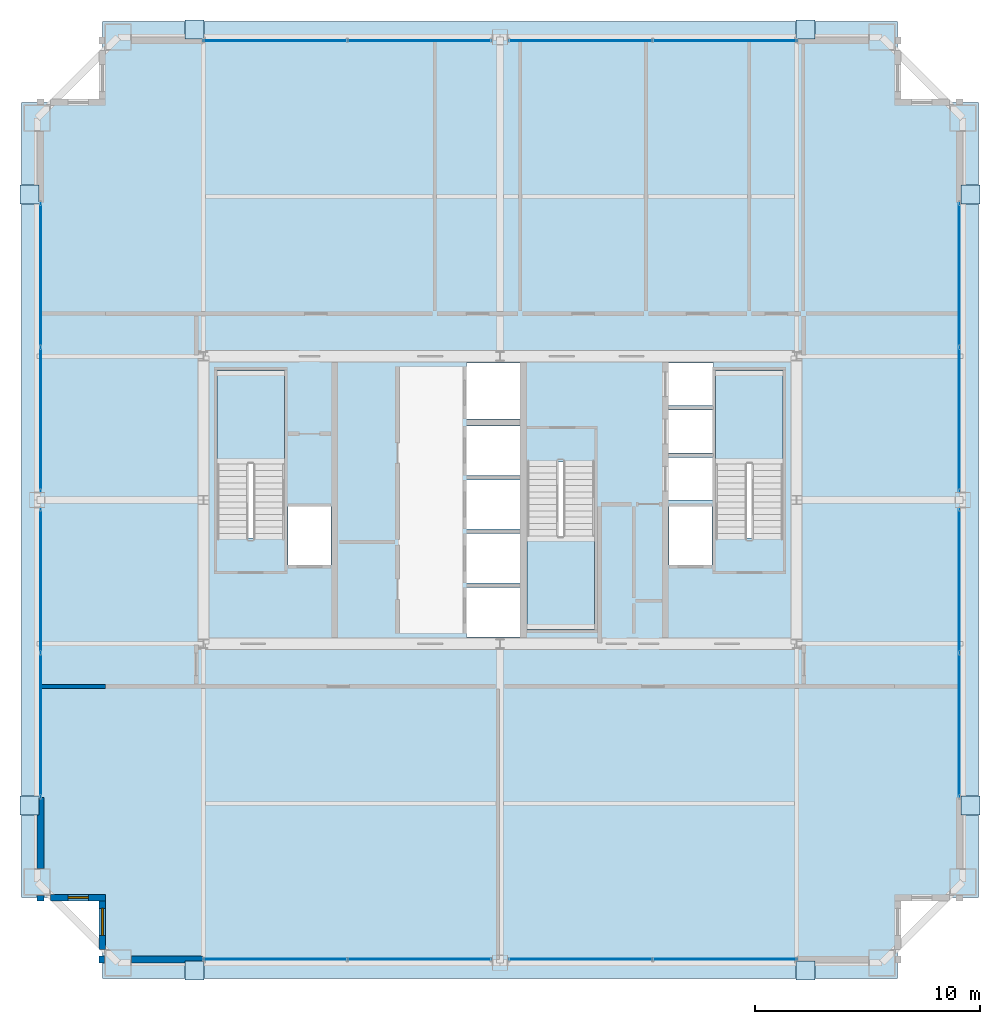
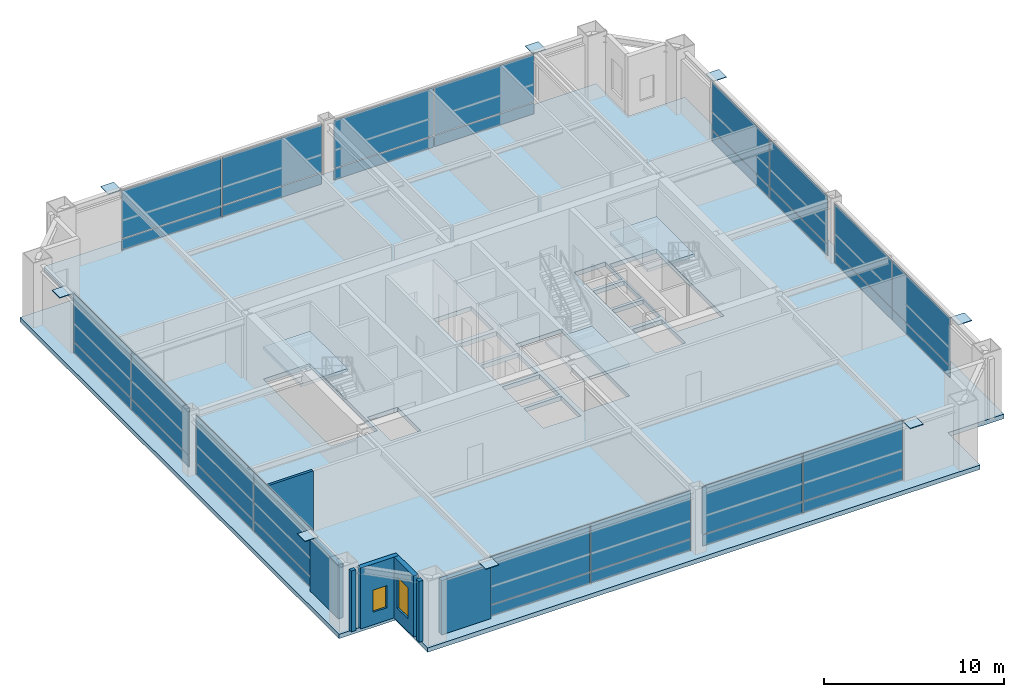
# One storey, part 22 of 26: 40 plates, 7 walls, 4 slabs, 2 windows, 2 openings, 11 elements without a shape of their own.
"""IFC4 building model written with IfcOpenShell, lengths in metres."""

from ifc_helpers import new_model, si_unit, direction, frame, frame_2d, origin, origin_2d, place, context, subcontext, project, spatial, polyline, rectangle, outline, extrude, source, transform, mapped, material, layer, layer_set, type_object, element, fill, aggregate, save


model = new_model("IFC4")

# Units and contexts
model_context = context("Model", 3, precision=1e-05, world=origin(), true_north=direction((0.0, 1.0)))
body_context = subcontext(model_context, "Body", "Model", "MODEL_VIEW")
ifc_project = project(units=[si_unit("LENGTHUNIT", "METRE"), si_unit("AREAUNIT", "SQUARE_METRE"), si_unit("VOLUMEUNIT", "CUBIC_METRE"), si_unit("PLANEANGLEUNIT", "RADIAN"), si_unit("MASSUNIT", "GRAM", prefix="KILO"), si_unit("THERMODYNAMICTEMPERATUREUNIT", "KELVIN"), si_unit("POWERUNIT", "WATT")], contexts=[model_context])

# Site, building, storey
site_placement = place(None, origin())
site = spatial("IfcSite", under=ifc_project, at=site_placement, CompositionType="ELEMENT")
building_placement = place(site_placement, origin())
building = spatial("IfcBuilding", under=site, at=building_placement, Name="Yuzanri Waterfront Tower", CompositionType="ELEMENT")
storey_placement = place(building_placement, frame((0.0, 0.0, 259.10009765625)))
storey = spatial("IfcBuildingStorey", under=building, at=storey_placement, Name="L69", CompositionType="ELEMENT", Elevation=259.10009765625)

# Stair, slab
ifc_material_1 = material(Name="Concrete C40", Category="concrete")
stair_type = type_object("IfcStairType", Name="Concrete C40 Core Dogleg Exit Stair", PredefinedType="HALF_TURN_STAIR", material=ifc_material_1)
stair_1_placement = place(storey_placement, origin())
stair_1 = element("IfcStair", 1, at=stair_1_placement, inside=storey, type_object=stair_type, Name="L69 Smoke-Proof Core Stair ST-01", PredefinedType="HALF_TURN_STAIR")
ifc_material_2 = material(Name="Concrete C40", Category="concrete")
ifc_layer_1 = layer(ifc_material_2, 0.179931640625)
ifc_layer_set_1 = layer_set([ifc_layer_1], Name="Concrete C40")
slab_type_1 = type_object("IfcSlabType", Name="Concrete C40 Stair Half-Landing Slab 180", PredefinedType="LANDING", material=ifc_layer_set_1)
slab_1_placement = place(storey_placement, frame((0.0, 0.0, 2.0)))
slab_1 = element("IfcSlab", 2, at=slab_1_placement, type_object=slab_type_1, Name="ST-01 landing 1", PredefinedType="LANDING", context=body_context, shape_type="SweptSolid", body=[
    extrude(outline(polyline([(27.39990234375, 27.39990234375), (27.39990234375, 31.580078125), (24.39990234375, 31.580078125), (24.39990234375, 27.39990234375), (27.39990234375, 27.39990234375)])), origin(), (0.0, 0.0, 1.0), 0.199951171875),
])
aggregate(stair_1, [slab_1])

stair_2_placement = place(storey_placement, origin())
stair_2 = element("IfcStair", 3, at=stair_2_placement, inside=storey, type_object=stair_type, Name="L69 Smoke-Proof Core Stair ST-02", PredefinedType="HALF_TURN_STAIR")
slab_2_placement = place(storey_placement, frame((0.0, 0.0, 2.0)))
slab_2 = element("IfcSlab", 4, at=slab_2_placement, type_object=slab_type_1, Name="ST-02 landing 1", PredefinedType="LANDING", context=body_context, shape_type="SweptSolid", body=[
    extrude(outline(polyline([(49.60009765625, 27.39990234375), (49.60009765625, 31.580078125), (46.60009765625, 31.580078125), (46.60009765625, 27.39990234375), (49.60009765625, 27.39990234375)])), origin(), (0.0, 0.0, 1.0), 0.199951171875),
])
aggregate(stair_2, [slab_2])

stair_3_placement = place(storey_placement, origin())
stair_3 = element("IfcStair", 5, at=stair_3_placement, inside=storey, type_object=stair_type, Name="L69 Smoke-Proof Core Stair ST-03", PredefinedType="HALF_TURN_STAIR")
slab_3_placement = place(storey_placement, frame((0.0, 0.0, 2.0)))
slab_3 = element("IfcSlab", 6, at=slab_3_placement, type_object=slab_type_1, Name="ST-03 landing 1", PredefinedType="LANDING", context=body_context, shape_type="SweptSolid", body=[
    extrude(outline(polyline([(38.199951171875, 24.199951171875), (38.199951171875, 20.02001953125), (41.199951171875, 20.02001953125), (41.199951171875, 24.199951171875), (38.199951171875, 24.199951171875)])), origin(), (0.0, 0.0, 1.0), 0.199951171875),
])
aggregate(stair_3, [slab_3])

# Slab
ifc_material_3 = material(Name="Concrete C45", Category="concrete")
ifc_layer_2 = layer(ifc_material_3, 0.300048828125)
ifc_layer_set_2 = layer_set([ifc_layer_2], Name="Concrete C45")
slab_type_2 = type_object("IfcSlabType", Name="Concrete C45 Transfer and Sky-Lobby Structural Floor Slab 300", PredefinedType="FLOOR", material=ifc_layer_set_2)
slab_4_placement = place(storey_placement, frame((0.0, 0.0, -0.300048828125)))
element("IfcSlab", 7, at=slab_4_placement, inside=storey, type_object=slab_type_2, Name="L69 Main Structural Floor Slab", PredefinedType="FLOOR", context=body_context, shape_type="SweptSolid", body=[
    extrude(outline(polyline([(19.300048828125, 4.5), (54.699951171875, 4.5), (54.699951171875, 8.10009765625), (58.300048828125, 8.10009765625), (58.300048828125, 43.5), (54.699951171875, 43.5), (54.699951171875, 47.10009765625), (19.300048828125, 47.10009765625), (19.300048828125, 43.5), (15.699951171875, 43.5), (15.699951171875, 8.10009765625), (19.300048828125, 8.10009765625), (19.300048828125, 4.5)]), holes=[polyline([(27.39990234375, 24.10009765625), (27.39990234375, 31.580078125), (24.39990234375, 31.580078125), (24.39990234375, 24.10009765625), (27.39990234375, 24.10009765625)]), polyline([(49.60009765625, 24.10009765625), (49.60009765625, 31.580078125), (46.60009765625, 31.580078125), (46.60009765625, 24.10009765625), (49.60009765625, 24.10009765625)]), polyline([(38.199951171875, 27.5), (38.199951171875, 20.02001953125), (41.199951171875, 20.02001953125), (41.199951171875, 27.5), (38.199951171875, 27.5)]), polyline([(27.56005859375, 22.89990234375), (29.47998046875, 22.89990234375), (29.47998046875, 25.5), (27.56005859375, 25.5), (27.56005859375, 22.89990234375)]), polyline([(44.52001953125, 22.89990234375), (46.43994140625, 22.89990234375), (46.43994140625, 25.5), (44.52001953125, 25.5), (44.52001953125, 22.89990234375)]), polyline([(35.5, 19.699951171875), (37.89990234375, 19.699951171875), (37.89990234375, 21.89990234375), (35.5, 21.89990234375), (35.5, 19.699951171875)]), polyline([(35.5, 22.10009765625), (37.89990234375, 22.10009765625), (37.89990234375, 24.300048828125), (35.5, 24.300048828125), (35.5, 22.10009765625)]), polyline([(35.5, 24.5), (37.89990234375, 24.5), (37.89990234375, 26.699951171875), (35.5, 26.699951171875), (35.5, 24.5)]), polyline([(35.5, 26.89990234375), (37.89990234375, 26.89990234375), (37.89990234375, 29.10009765625), (35.5, 29.10009765625), (35.5, 26.89990234375)]), polyline([(35.5, 29.39990234375), (37.89990234375, 29.39990234375), (37.89990234375, 31.89990234375), (35.5, 31.89990234375), (35.5, 29.39990234375)]), polyline([(44.5, 25.800048828125), (46.5, 25.800048828125), (46.5, 27.699951171875), (44.5, 27.699951171875), (44.5, 25.800048828125)]), polyline([(44.5, 27.89990234375), (46.5, 27.89990234375), (46.5, 29.800048828125), (44.5, 29.800048828125), (44.5, 27.89990234375)]), polyline([(44.5, 30.0), (46.5, 30.0), (46.5, 31.89990234375), (44.5, 31.89990234375), (44.5, 30.0)])]), origin(), (0.0, 0.0, 1.0), 0.300048828125),
])

# Plates
ifc_material_4 = material(Name="Steel Q420GJC", Category="steel")
ifc_layer_3 = layer(ifc_material_4, 0.0400390625)
ifc_layer_set_3 = layer_set([ifc_layer_3], Name="Steel Q420GJC")
plate_type_1 = type_object("IfcPlateType", Name="Steel Q420GJC Mega-Brace Gusset and End-Cap Plate 40", PredefinedType="SHEET", material=ifc_layer_set_3)
shared_shape_1 = source(origin(), body_context, "Body", "SweptSolid", [
    extrude(rectangle(XDim=0.85009765625, YDim=0.85009765625, at=origin_2d()), origin(), (0.0, 0.0, 1.0), 0.0400390625),
])
for number, where, z_axis, x_axis, name in (
    (8, (23.39990234375, 4.860107421875, 4.059814453125), (0.0, 0.0, 1.0), (1.0, 0.0, 0.0), "L69 Mega-Brace Apex Cap Plate S-L"),
    (9, (50.60009765625, 4.860107421875, 4.059814453125), (0.0, 0.0, 1.0), (1.0, 0.0, 0.0), "L69 Mega-Brace Apex Cap Plate S-R"),
    (10, (23.39990234375, 46.739990234375, 4.059814453125), (0.0, 0.0, 1.0), (1.0, 0.0, 0.0), "L69 Mega-Brace Apex Cap Plate N-L"),
    (11, (50.60009765625, 46.739990234375, 4.059814453125), (0.0, 0.0, 1.0), (1.0, 0.0, 0.0), "L69 Mega-Brace Apex Cap Plate N-R"),
    (12, (16.06005859375, 12.199951171875, 4.059814453125), (0.0, 0.0, 1.0), (1.0, 0.0, 0.0), "L69 Mega-Brace Apex Cap Plate W-L"),
    (13, (16.06005859375, 39.39990234375, 4.059814453125), (0.0, 0.0, 1.0), (1.0, 0.0, 0.0), "L69 Mega-Brace Apex Cap Plate W-R"),
    (14, (57.93994140625, 12.199951171875, 4.059814453125), (0.0, 0.0, 1.0), (1.0, 0.0, 0.0), "L69 Mega-Brace Apex Cap Plate E-L"),
    (15, (57.93994140625, 39.39990234375, 4.059814453125), (0.0, 0.0, 1.0), (1.0, 0.0, 0.0), "L69 Mega-Brace Apex Cap Plate E-R"),
):
    element("IfcPlate", number, at=place(storey_placement, frame(where, z_axis=z_axis, x_axis=x_axis)), inside=storey, type_object=plate_type_1, Name=name, PredefinedType="SHEET", context=body_context, shape_type="MappedRepresentation", body=[
        mapped(shared_shape_1, transform((0.0, 0.0, 0.0), scale=1.0)),
    ])

# Curtain wall, plates
ifc_material_5 = material(Name="Anodized Architectural Bronze", Category="metal")
ifc_layer_4 = layer(ifc_material_5, 0.159912109375)
ifc_layer_set_4 = layer_set([ifc_layer_4], Name="Anodized Architectural Bronze")
curtain_wall_type = type_object("IfcCurtainWallType", Name="Anodized Bronze Sky-Lobby Triple-Glazed Feature Curtain Wall 7500", PredefinedType="NOTDEFINED", material=ifc_layer_set_4)
curtain_wall_1_placement = place(storey_placement, origin())
curtain_wall_1 = element("IfcCurtainWall", 16, at=curtain_wall_1_placement, inside=storey, type_object=curtain_wall_type, Name="L69 Curtain Wall CW-L69-SL", PredefinedType="NOTDEFINED")
ifc_material_6 = material(Name="Anodized Architectural Bronze", Category="metal")
ifc_layer_5 = layer(ifc_material_6, 0.028076171875)
ifc_layer_set_5 = layer_set([ifc_layer_5], Name="Anodized Architectural Bronze")
plate_type_2 = type_object("IfcPlateType", Name="Bronze Insulated Spandrel Shadow-Box Panel 28", PredefinedType="CURTAIN_PANEL", material=ifc_layer_set_5)
shared_shape_2 = source(origin(), body_context, "Body", "SweptSolid", [
    extrude(rectangle(XDim=6.3701171875, YDim=0.028076171875, at=origin_2d()), origin(), (0.0, 0.0, 1.0), 0.739990234375),
])
plate_1_placement = place(storey_placement, frame((26.97509765625, 5.35009765625, 0.0498046875), z_axis=(0.0, 0.0, 1.0), x_axis=(1.0, 0.0, 0.0)))
plate_1 = element("IfcPlate", 17, at=plate_1_placement, type_object=plate_type_2, Name="CW-L69-SL Spandrel Panel 01", PredefinedType="CURTAIN_PANEL", context=body_context, shape_type="MappedRepresentation", body=[
    mapped(shared_shape_2, transform((0.0, 0.0, 0.0), scale=1.0)),
])
plate_2_placement = place(storey_placement, frame((33.425048828125, 5.35009765625, 0.0498046875), z_axis=(0.0, 0.0, 1.0), x_axis=(1.0, 0.0, 0.0)))
plate_2 = element("IfcPlate", 18, at=plate_2_placement, type_object=plate_type_2, Name="CW-L69-SL Spandrel Panel 02", PredefinedType="CURTAIN_PANEL", context=body_context, shape_type="MappedRepresentation", body=[
    mapped(shared_shape_2, transform((0.0, 0.0, 0.0), scale=1.0)),
])

curtain_wall_2_placement = place(storey_placement, origin())
curtain_wall_2 = element("IfcCurtainWall", 19, at=curtain_wall_2_placement, inside=storey, type_object=curtain_wall_type, Name="L69 Curtain Wall CW-L69-SR", PredefinedType="NOTDEFINED")
plate_3_placement = place(storey_placement, frame((40.574951171875, 5.35009765625, 0.0498046875), z_axis=(0.0, 0.0, 1.0), x_axis=(1.0, 0.0, 0.0)))
plate_3 = element("IfcPlate", 20, at=plate_3_placement, type_object=plate_type_2, Name="CW-L69-SR Spandrel Panel 01", PredefinedType="CURTAIN_PANEL", context=body_context, shape_type="MappedRepresentation", body=[
    mapped(shared_shape_2, transform((0.0, 0.0, 0.0), scale=1.0)),
])
plate_4_placement = place(storey_placement, frame((47.02490234375, 5.35009765625, 0.0498046875), z_axis=(0.0, 0.0, 1.0), x_axis=(1.0, 0.0, 0.0)))
plate_4 = element("IfcPlate", 21, at=plate_4_placement, type_object=plate_type_2, Name="CW-L69-SR Spandrel Panel 02", PredefinedType="CURTAIN_PANEL", context=body_context, shape_type="MappedRepresentation", body=[
    mapped(shared_shape_2, transform((0.0, 0.0, 0.0), scale=1.0)),
])

curtain_wall_3_placement = place(storey_placement, origin())
curtain_wall_3 = element("IfcCurtainWall", 22, at=curtain_wall_3_placement, inside=storey, type_object=curtain_wall_type, Name="L69 Curtain Wall CW-L69-NL", PredefinedType="NOTDEFINED")
plate_5_placement = place(storey_placement, frame((26.97509765625, 46.25, 0.0498046875), z_axis=(0.0, 0.0, 1.0), x_axis=(1.0, 0.0, 0.0)))
plate_5 = element("IfcPlate", 23, at=plate_5_placement, type_object=plate_type_2, Name="CW-L69-NL Spandrel Panel 01", PredefinedType="CURTAIN_PANEL", context=body_context, shape_type="MappedRepresentation", body=[
    mapped(shared_shape_2, transform((0.0, 0.0, 0.0), scale=1.0)),
])
plate_6_placement = place(storey_placement, frame((33.425048828125, 46.25, 0.0498046875), z_axis=(0.0, 0.0, 1.0), x_axis=(1.0, 0.0, 0.0)))
plate_6 = element("IfcPlate", 24, at=plate_6_placement, type_object=plate_type_2, Name="CW-L69-NL Spandrel Panel 02", PredefinedType="CURTAIN_PANEL", context=body_context, shape_type="MappedRepresentation", body=[
    mapped(shared_shape_2, transform((0.0, 0.0, 0.0), scale=1.0)),
])

curtain_wall_4_placement = place(storey_placement, origin())
curtain_wall_4 = element("IfcCurtainWall", 25, at=curtain_wall_4_placement, inside=storey, type_object=curtain_wall_type, Name="L69 Curtain Wall CW-L69-NR", PredefinedType="NOTDEFINED")
plate_7_placement = place(storey_placement, frame((40.574951171875, 46.25, 0.0498046875), z_axis=(0.0, 0.0, 1.0), x_axis=(1.0, 0.0, 0.0)))
plate_7 = element("IfcPlate", 26, at=plate_7_placement, type_object=plate_type_2, Name="CW-L69-NR Spandrel Panel 01", PredefinedType="CURTAIN_PANEL", context=body_context, shape_type="MappedRepresentation", body=[
    mapped(shared_shape_2, transform((0.0, 0.0, 0.0), scale=1.0)),
])
plate_8_placement = place(storey_placement, frame((47.02490234375, 46.25, 0.0498046875), z_axis=(0.0, 0.0, 1.0), x_axis=(1.0, 0.0, 0.0)))
plate_8 = element("IfcPlate", 27, at=plate_8_placement, type_object=plate_type_2, Name="CW-L69-NR Spandrel Panel 02", PredefinedType="CURTAIN_PANEL", context=body_context, shape_type="MappedRepresentation", body=[
    mapped(shared_shape_2, transform((0.0, 0.0, 0.0), scale=1.0)),
])

curtain_wall_5_placement = place(storey_placement, origin())
curtain_wall_5 = element("IfcCurtainWall", 28, at=curtain_wall_5_placement, inside=storey, type_object=curtain_wall_type, Name="L69 Curtain Wall CW-L69-WL", PredefinedType="NOTDEFINED")
plate_9_placement = place(storey_placement, frame((16.550048828125, 15.77490234375, 0.0498046875), z_axis=(0.0, 0.0, 1.0), x_axis=(0.0, 1.0, 0.0)))
plate_9 = element("IfcPlate", 29, at=plate_9_placement, type_object=plate_type_2, Name="CW-L69-WL Spandrel Panel 01", PredefinedType="CURTAIN_PANEL", context=body_context, shape_type="MappedRepresentation", body=[
    mapped(shared_shape_2, transform((0.0, 0.0, 0.0), scale=1.0)),
])
plate_10_placement = place(storey_placement, frame((16.550048828125, 22.22509765625, 0.0498046875), z_axis=(0.0, 0.0, 1.0), x_axis=(0.0, 1.0, 0.0)))
plate_10 = element("IfcPlate", 30, at=plate_10_placement, type_object=plate_type_2, Name="CW-L69-WL Spandrel Panel 02", PredefinedType="CURTAIN_PANEL", context=body_context, shape_type="MappedRepresentation", body=[
    mapped(shared_shape_2, transform((0.0, 0.0, 0.0), scale=1.0)),
])

curtain_wall_6_placement = place(storey_placement, origin())
curtain_wall_6 = element("IfcCurtainWall", 31, at=curtain_wall_6_placement, inside=storey, type_object=curtain_wall_type, Name="L69 Curtain Wall CW-L69-WR", PredefinedType="NOTDEFINED")
plate_11_placement = place(storey_placement, frame((16.550048828125, 29.375, 0.0498046875), z_axis=(0.0, 0.0, 1.0), x_axis=(0.0, 1.0, 0.0)))
plate_11 = element("IfcPlate", 32, at=plate_11_placement, type_object=plate_type_2, Name="CW-L69-WR Spandrel Panel 01", PredefinedType="CURTAIN_PANEL", context=body_context, shape_type="MappedRepresentation", body=[
    mapped(shared_shape_2, transform((0.0, 0.0, 0.0), scale=1.0)),
])
plate_12_placement = place(storey_placement, frame((16.550048828125, 35.824951171875, 0.0498046875), z_axis=(0.0, 0.0, 1.0), x_axis=(0.0, 1.0, 0.0)))
plate_12 = element("IfcPlate", 33, at=plate_12_placement, type_object=plate_type_2, Name="CW-L69-WR Spandrel Panel 02", PredefinedType="CURTAIN_PANEL", context=body_context, shape_type="MappedRepresentation", body=[
    mapped(shared_shape_2, transform((0.0, 0.0, 0.0), scale=1.0)),
])

curtain_wall_7_placement = place(storey_placement, origin())
curtain_wall_7 = element("IfcCurtainWall", 34, at=curtain_wall_7_placement, inside=storey, type_object=curtain_wall_type, Name="L69 Curtain Wall CW-L69-EL", PredefinedType="NOTDEFINED")
plate_13_placement = place(storey_placement, frame((57.449951171875, 15.77490234375, 0.0498046875), z_axis=(0.0, 0.0, 1.0), x_axis=(0.0, 1.0, 0.0)))
plate_13 = element("IfcPlate", 35, at=plate_13_placement, type_object=plate_type_2, Name="CW-L69-EL Spandrel Panel 01", PredefinedType="CURTAIN_PANEL", context=body_context, shape_type="MappedRepresentation", body=[
    mapped(shared_shape_2, transform((0.0, 0.0, 0.0), scale=1.0)),
])
plate_14_placement = place(storey_placement, frame((57.449951171875, 22.22509765625, 0.0498046875), z_axis=(0.0, 0.0, 1.0), x_axis=(0.0, 1.0, 0.0)))
plate_14 = element("IfcPlate", 36, at=plate_14_placement, type_object=plate_type_2, Name="CW-L69-EL Spandrel Panel 02", PredefinedType="CURTAIN_PANEL", context=body_context, shape_type="MappedRepresentation", body=[
    mapped(shared_shape_2, transform((0.0, 0.0, 0.0), scale=1.0)),
])

curtain_wall_8_placement = place(storey_placement, origin())
curtain_wall_8 = element("IfcCurtainWall", 37, at=curtain_wall_8_placement, inside=storey, type_object=curtain_wall_type, Name="L69 Curtain Wall CW-L69-ER", PredefinedType="NOTDEFINED")
plate_15_placement = place(storey_placement, frame((57.449951171875, 29.375, 0.0498046875), z_axis=(0.0, 0.0, 1.0), x_axis=(0.0, 1.0, 0.0)))
plate_15 = element("IfcPlate", 38, at=plate_15_placement, type_object=plate_type_2, Name="CW-L69-ER Spandrel Panel 01", PredefinedType="CURTAIN_PANEL", context=body_context, shape_type="MappedRepresentation", body=[
    mapped(shared_shape_2, transform((0.0, 0.0, 0.0), scale=1.0)),
])
plate_16_placement = place(storey_placement, frame((57.449951171875, 35.824951171875, 0.0498046875), z_axis=(0.0, 0.0, 1.0), x_axis=(0.0, 1.0, 0.0)))
plate_16 = element("IfcPlate", 39, at=plate_16_placement, type_object=plate_type_2, Name="CW-L69-ER Spandrel Panel 02", PredefinedType="CURTAIN_PANEL", context=body_context, shape_type="MappedRepresentation", body=[
    mapped(shared_shape_2, transform((0.0, 0.0, 0.0), scale=1.0)),
])

# Plate
ifc_material_7 = material(Name="Triple Low-E Laminated Insulated Glass", Category="glass")
ifc_layer_6 = layer(ifc_material_7, 0.0439453125)
ifc_layer_set_6 = layer_set([ifc_layer_6], Name="Triple Low-E Laminated Insulated Glass")
plate_type_3 = type_object("IfcPlateType", Name="Triple Glazed Acoustic Vision Glass Panel 44", PredefinedType="CURTAIN_PANEL", material=ifc_layer_set_6)
shared_shape_3 = source(origin(), body_context, "Body", "SweptSolid", [
    extrude(rectangle(XDim=6.3701171875, YDim=0.0439453125, at=origin_2d()), origin(), (0.0, 0.0, 1.0), 3.219970703125),
])
plate_17_placement = place(storey_placement, frame((26.97509765625, 5.35009765625, 0.85009765625), z_axis=(0.0, 0.0, 1.0), x_axis=(1.0, 0.0, 0.0)))
plate_17 = element("IfcPlate", 40, at=plate_17_placement, type_object=plate_type_3, Name="CW-L69-SL Vision Glass Panel 01", PredefinedType="CURTAIN_PANEL", context=body_context, shape_type="MappedRepresentation", body=[
    mapped(shared_shape_3, transform((0.0, 0.0, 0.0), scale=1.0)),
])

plate_18_placement = place(storey_placement, frame((33.425048828125, 5.35009765625, 0.85009765625), z_axis=(0.0, 0.0, 1.0), x_axis=(1.0, 0.0, 0.0)))
plate_18 = element("IfcPlate", 41, at=plate_18_placement, type_object=plate_type_3, Name="CW-L69-SL Vision Glass Panel 02", PredefinedType="CURTAIN_PANEL", context=body_context, shape_type="MappedRepresentation", body=[
    mapped(shared_shape_3, transform((0.0, 0.0, 0.0), scale=1.0)),
])

aggregate(curtain_wall_1, [plate_1, plate_17, plate_2, plate_18])

plate_19_placement = place(storey_placement, frame((40.574951171875, 5.35009765625, 0.85009765625), z_axis=(0.0, 0.0, 1.0), x_axis=(1.0, 0.0, 0.0)))
plate_19 = element("IfcPlate", 42, at=plate_19_placement, type_object=plate_type_3, Name="CW-L69-SR Vision Glass Panel 01", PredefinedType="CURTAIN_PANEL", context=body_context, shape_type="MappedRepresentation", body=[
    mapped(shared_shape_3, transform((0.0, 0.0, 0.0), scale=1.0)),
])

plate_20_placement = place(storey_placement, frame((47.02490234375, 5.35009765625, 0.85009765625), z_axis=(0.0, 0.0, 1.0), x_axis=(1.0, 0.0, 0.0)))
plate_20 = element("IfcPlate", 43, at=plate_20_placement, type_object=plate_type_3, Name="CW-L69-SR Vision Glass Panel 02", PredefinedType="CURTAIN_PANEL", context=body_context, shape_type="MappedRepresentation", body=[
    mapped(shared_shape_3, transform((0.0, 0.0, 0.0), scale=1.0)),
])

aggregate(curtain_wall_2, [plate_3, plate_19, plate_4, plate_20])

plate_21_placement = place(storey_placement, frame((26.97509765625, 46.25, 0.85009765625), z_axis=(0.0, 0.0, 1.0), x_axis=(1.0, 0.0, 0.0)))
plate_21 = element("IfcPlate", 44, at=plate_21_placement, type_object=plate_type_3, Name="CW-L69-NL Vision Glass Panel 01", PredefinedType="CURTAIN_PANEL", context=body_context, shape_type="MappedRepresentation", body=[
    mapped(shared_shape_3, transform((0.0, 0.0, 0.0), scale=1.0)),
])

plate_22_placement = place(storey_placement, frame((33.425048828125, 46.25, 0.85009765625), z_axis=(0.0, 0.0, 1.0), x_axis=(1.0, 0.0, 0.0)))
plate_22 = element("IfcPlate", 45, at=plate_22_placement, type_object=plate_type_3, Name="CW-L69-NL Vision Glass Panel 02", PredefinedType="CURTAIN_PANEL", context=body_context, shape_type="MappedRepresentation", body=[
    mapped(shared_shape_3, transform((0.0, 0.0, 0.0), scale=1.0)),
])

aggregate(curtain_wall_3, [plate_5, plate_21, plate_6, plate_22])

plate_23_placement = place(storey_placement, frame((40.574951171875, 46.25, 0.85009765625), z_axis=(0.0, 0.0, 1.0), x_axis=(1.0, 0.0, 0.0)))
plate_23 = element("IfcPlate", 46, at=plate_23_placement, type_object=plate_type_3, Name="CW-L69-NR Vision Glass Panel 01", PredefinedType="CURTAIN_PANEL", context=body_context, shape_type="MappedRepresentation", body=[
    mapped(shared_shape_3, transform((0.0, 0.0, 0.0), scale=1.0)),
])

plate_24_placement = place(storey_placement, frame((47.02490234375, 46.25, 0.85009765625), z_axis=(0.0, 0.0, 1.0), x_axis=(1.0, 0.0, 0.0)))
plate_24 = element("IfcPlate", 47, at=plate_24_placement, type_object=plate_type_3, Name="CW-L69-NR Vision Glass Panel 02", PredefinedType="CURTAIN_PANEL", context=body_context, shape_type="MappedRepresentation", body=[
    mapped(shared_shape_3, transform((0.0, 0.0, 0.0), scale=1.0)),
])

aggregate(curtain_wall_4, [plate_7, plate_23, plate_8, plate_24])

plate_25_placement = place(storey_placement, frame((16.550048828125, 15.77490234375, 0.85009765625), z_axis=(0.0, 0.0, 1.0), x_axis=(0.0, 1.0, 0.0)))
plate_25 = element("IfcPlate", 48, at=plate_25_placement, type_object=plate_type_3, Name="CW-L69-WL Vision Glass Panel 01", PredefinedType="CURTAIN_PANEL", context=body_context, shape_type="MappedRepresentation", body=[
    mapped(shared_shape_3, transform((0.0, 0.0, 0.0), scale=1.0)),
])

plate_26_placement = place(storey_placement, frame((16.550048828125, 22.22509765625, 0.85009765625), z_axis=(0.0, 0.0, 1.0), x_axis=(0.0, 1.0, 0.0)))
plate_26 = element("IfcPlate", 49, at=plate_26_placement, type_object=plate_type_3, Name="CW-L69-WL Vision Glass Panel 02", PredefinedType="CURTAIN_PANEL", context=body_context, shape_type="MappedRepresentation", body=[
    mapped(shared_shape_3, transform((0.0, 0.0, 0.0), scale=1.0)),
])

aggregate(curtain_wall_5, [plate_9, plate_25, plate_10, plate_26])

plate_27_placement = place(storey_placement, frame((16.550048828125, 29.375, 0.85009765625), z_axis=(0.0, 0.0, 1.0), x_axis=(0.0, 1.0, 0.0)))
plate_27 = element("IfcPlate", 50, at=plate_27_placement, type_object=plate_type_3, Name="CW-L69-WR Vision Glass Panel 01", PredefinedType="CURTAIN_PANEL", context=body_context, shape_type="MappedRepresentation", body=[
    mapped(shared_shape_3, transform((0.0, 0.0, 0.0), scale=1.0)),
])

plate_28_placement = place(storey_placement, frame((16.550048828125, 35.824951171875, 0.85009765625), z_axis=(0.0, 0.0, 1.0), x_axis=(0.0, 1.0, 0.0)))
plate_28 = element("IfcPlate", 51, at=plate_28_placement, type_object=plate_type_3, Name="CW-L69-WR Vision Glass Panel 02", PredefinedType="CURTAIN_PANEL", context=body_context, shape_type="MappedRepresentation", body=[
    mapped(shared_shape_3, transform((0.0, 0.0, 0.0), scale=1.0)),
])

aggregate(curtain_wall_6, [plate_11, plate_27, plate_12, plate_28])

plate_29_placement = place(storey_placement, frame((57.449951171875, 15.77490234375, 0.85009765625), z_axis=(0.0, 0.0, 1.0), x_axis=(0.0, 1.0, 0.0)))
plate_29 = element("IfcPlate", 52, at=plate_29_placement, type_object=plate_type_3, Name="CW-L69-EL Vision Glass Panel 01", PredefinedType="CURTAIN_PANEL", context=body_context, shape_type="MappedRepresentation", body=[
    mapped(shared_shape_3, transform((0.0, 0.0, 0.0), scale=1.0)),
])

plate_30_placement = place(storey_placement, frame((57.449951171875, 22.22509765625, 0.85009765625), z_axis=(0.0, 0.0, 1.0), x_axis=(0.0, 1.0, 0.0)))
plate_30 = element("IfcPlate", 53, at=plate_30_placement, type_object=plate_type_3, Name="CW-L69-EL Vision Glass Panel 02", PredefinedType="CURTAIN_PANEL", context=body_context, shape_type="MappedRepresentation", body=[
    mapped(shared_shape_3, transform((0.0, 0.0, 0.0), scale=1.0)),
])

aggregate(curtain_wall_7, [plate_13, plate_29, plate_14, plate_30])

plate_31_placement = place(storey_placement, frame((57.449951171875, 29.375, 0.85009765625), z_axis=(0.0, 0.0, 1.0), x_axis=(0.0, 1.0, 0.0)))
plate_31 = element("IfcPlate", 54, at=plate_31_placement, type_object=plate_type_3, Name="CW-L69-ER Vision Glass Panel 01", PredefinedType="CURTAIN_PANEL", context=body_context, shape_type="MappedRepresentation", body=[
    mapped(shared_shape_3, transform((0.0, 0.0, 0.0), scale=1.0)),
])

plate_32_placement = place(storey_placement, frame((57.449951171875, 35.824951171875, 0.85009765625), z_axis=(0.0, 0.0, 1.0), x_axis=(0.0, 1.0, 0.0)))
plate_32 = element("IfcPlate", 55, at=plate_32_placement, type_object=plate_type_3, Name="CW-L69-ER Vision Glass Panel 02", PredefinedType="CURTAIN_PANEL", context=body_context, shape_type="MappedRepresentation", body=[
    mapped(shared_shape_3, transform((0.0, 0.0, 0.0), scale=1.0)),
])

aggregate(curtain_wall_8, [plate_15, plate_31, plate_16, plate_32])

# Wall, opening, window
ifc_material_8 = material(Name="Honed Chongqing Dark Basalt Stone", Category="masonry")
ifc_layer_7 = layer(ifc_material_8, 0.300048828125)
ifc_layer_set_7 = layer_set([ifc_layer_7], Name="Honed Chongqing Dark Basalt Stone")
wall_type_1 = type_object("IfcWallType", Name="Bronze Rainscreen Insulated Spandrel Portal Wall 300", PredefinedType="SOLIDWALL", material=ifc_layer_set_7)
wall_1_placement = place(storey_placement, frame((17.0, 8.10009765625, 0.0), z_axis=(0.0, 0.0, 1.0), x_axis=(1.0, 0.0, 0.0)))
wall_1 = element("IfcWall", 56, at=wall_1_placement, inside=storey, type_object=wall_type_1, Name="L69 Notched Corner Masonry Wall SW-X", PredefinedType="SOLIDWALL", context=body_context, shape_type="SweptSolid", body=[
    extrude(rectangle(XDim=2.449951171875, YDim=0.300048828125, at=frame_2d((1.22509765625, 0.0))), origin(), (0.0, 0.0, 1.0), 4.119873046875),
])
opening_1_placement = place(wall_1_placement, frame((0.77490234375, 0.0, 0.85009765625)))
opening_1 = element("IfcOpeningElement", 57, at=opening_1_placement, cuts=wall_1, Name="Opening WN-05", PredefinedType="OPENING", context=body_context, shape_type="SweptSolid", body=[
    extrude(rectangle(XDim=0.89990234375, YDim=1.5, at=frame_2d((0.449951171875, 0.75))), frame((0.0, 0.1650390625, 0.0), z_axis=(0.0, -1.0, 0.0), x_axis=(1.0, 0.0, 0.0)), (0.0, 0.0, 1.0), 0.329833984375),
])
ifc_material_9 = material(Name="Double-Silver Low-E Insulated Glass", Category="glass")
window_type_1 = type_object("IfcWindowType", Name="Anodized Bronze Service and Stairwell Smoke-Vent Window 900x1500", PartitioningType="SINGLE_PANEL", PredefinedType="WINDOW", material=ifc_material_9)
shared_shape_4 = source(origin(), body_context, "Body", "SweptSolid", [
    extrude(rectangle(XDim=0.89990234375, YDim=1.5, at=frame_2d((0.449951171875, 0.75))), frame((0.0, 0.030029296875, 0.0), z_axis=(0.0, -1.0, 0.0), x_axis=(1.0, 0.0, 0.0)), (0.0, 0.0, 1.0), 0.06005859375),
])
window_1_placement = place(opening_1_placement, origin())
window_1 = element("IfcWindow", 58, at=window_1_placement, inside=storey, type_object=window_type_1, Name="L69 Notched Corner Window SW-X", OverallHeight=1.5, OverallWidth=0.89990234375, PartitioningType="SINGLE_PANEL", PredefinedType="WINDOW", context=body_context, shape_type="MappedRepresentation", body=[
    mapped(shared_shape_4, transform((0.0, 0.0, 0.0), scale=1.0)),
])
fill(opening_1, window_1)

wall_2_placement = place(storey_placement, frame((19.300048828125, 8.25, 0.0), z_axis=(0.0, 0.0, 1.0), x_axis=(0.0, -1.0, 0.0)))
wall_2 = element("IfcWall", 59, at=wall_2_placement, inside=storey, type_object=wall_type_1, Name="L69 Notched Corner Masonry Wall SW-Y", PredefinedType="SOLIDWALL", context=body_context, shape_type="SweptSolid", body=[
    extrude(rectangle(XDim=2.449951171875, YDim=0.300048828125, at=frame_2d((1.22509765625, 0.0))), origin(), (0.0, 0.0, 1.0), 4.119873046875),
])
opening_2_placement = place(wall_2_placement, frame((0.625, 0.0, 0.85009765625)))
opening_2 = element("IfcOpeningElement", 60, at=opening_2_placement, cuts=wall_2, Name="Opening WN-02", PredefinedType="OPENING", context=body_context, shape_type="SweptSolid", body=[
    extrude(rectangle(XDim=1.199951171875, YDim=2.10009765625, at=frame_2d((0.60009765625, 1.050048828125))), frame((0.0, 0.1650390625, 0.0), z_axis=(0.0, -1.0, 0.0), x_axis=(1.0, 0.0, 0.0)), (0.0, 0.0, 1.0), 0.329833984375),
])
ifc_material_10 = material(Name="Double-Silver Low-E Insulated Glass", Category="glass")
window_type_2 = type_object("IfcWindowType", Name="Anodized Bronze Notched Corner Deep-Set Slot Window 1200x2100", PartitioningType="SINGLE_PANEL", PredefinedType="WINDOW", material=ifc_material_10)
shared_shape_5 = source(origin(), body_context, "Body", "SweptSolid", [
    extrude(rectangle(XDim=1.199951171875, YDim=2.10009765625, at=frame_2d((0.60009765625, 1.050048828125))), frame((0.0, 0.030029296875, 0.0), z_axis=(0.0, -1.0, 0.0), x_axis=(1.0, 0.0, 0.0)), (0.0, 0.0, 1.0), 0.06005859375),
])
window_2_placement = place(opening_2_placement, origin())
window_2 = element("IfcWindow", 61, at=window_2_placement, inside=storey, type_object=window_type_2, Name="L69 Notched Corner Window SW-Y", OverallHeight=2.10009765625, OverallWidth=1.199951171875, PartitioningType="SINGLE_PANEL", PredefinedType="WINDOW", context=body_context, shape_type="MappedRepresentation", body=[
    mapped(shared_shape_5, transform((0.0, 0.0, 0.0), scale=1.0)),
])
fill(opening_2, window_2)

# Walls
shared_shape_6 = source(origin(), body_context, "Body", "SweptSolid", [
    extrude(rectangle(XDim=0.25, YDim=0.300048828125, at=frame_2d((0.125, 0.0))), origin(), (0.0, 0.0, 1.0), 4.119873046875),
])
for number, where, z_axis, x_axis, name in (
    (62, (19.14990234375, 5.35009765625, 0.0), (0.0, 0.0, 1.0), (1.0, 0.0, 0.0), "L69 Corner Column Shoulder Return CSW"),
    (63, (16.550048828125, 7.949951171875, 0.0), (0.0, 0.0, 1.0), (0.0, 1.0, 0.0), "L69 Corner Column Shoulder Return CWS"),
):
    element("IfcWall", number, at=place(storey_placement, frame(where, z_axis=z_axis, x_axis=x_axis)), inside=storey, type_object=wall_type_1, Name=name, PredefinedType="SOLIDWALL", context=body_context, shape_type="MappedRepresentation", body=[
        mapped(shared_shape_6, transform((0.0, 0.0, 0.0), scale=1.0)),
    ])
shared_shape_7 = source(origin(), body_context, "Body", "SweptSolid", [
    extrude(rectangle(XDim=3.14990234375, YDim=0.300048828125, at=frame_2d((1.574951171875, 0.0))), origin(), (0.0, 0.0, 1.0), 3.6748046875),
])
wall_3_placement = place(storey_placement, frame((20.60009765625, 5.35009765625, 0.0), z_axis=(0.0, 0.0, 1.0), x_axis=(1.0, 0.0, 0.0)))
element("IfcWall", 64, at=wall_3_placement, inside=storey, type_object=wall_type_1, Name="L69 S Left Braced Masonry Shoulder", PredefinedType="SOLIDWALL", context=body_context, shape_type="MappedRepresentation", body=[
    mapped(shared_shape_7, transform((0.0, 0.0, 0.0), scale=1.0)),
])
shared_shape_8 = source(origin(), body_context, "Body", "SweptSolid", [
    extrude(rectangle(XDim=3.150146484375, YDim=0.300048828125, at=frame_2d((1.5751953125, 0.0))), origin(), (0.0, 0.0, 1.0), 3.6748046875),
])
wall_4_placement = place(storey_placement, frame((16.550048828125, 9.39990234375, 0.0), z_axis=(0.0, 0.0, 1.0), x_axis=(0.0, 1.0, 0.0)))
element("IfcWall", 65, at=wall_4_placement, inside=storey, type_object=wall_type_1, Name="L69 W Left Braced Masonry Shoulder", PredefinedType="SOLIDWALL", context=body_context, shape_type="MappedRepresentation", body=[
    mapped(shared_shape_8, transform((0.0, 0.0, 0.0), scale=1.0)),
])
ifc_material_11 = material(Name="Gypsum Fireboard Acoustic Stud Wall", Category="gypsum")
ifc_layer_8 = layer(ifc_material_11, 0.159912109375)
ifc_layer_set_8 = layer_set([ifc_layer_8], Name="Gypsum Fireboard Acoustic Stud Wall")
wall_type_2 = type_object("IfcWallType", Name="Acoustic Suite Demising Partition 160", PredefinedType="PARTITIONING", material=ifc_layer_set_8)
shared_shape_9 = source(origin(), body_context, "Body", "SweptSolid", [
    extrude(rectangle(XDim=2.8798828125, YDim=0.159912109375, at=frame_2d((1.43994140625, 0.0))), origin(), (0.0, 0.0, 1.0), 4.119873046875),
])
wall_5_placement = place(storey_placement, frame((16.550048828125, 17.5, 0.0), z_axis=(0.0, 0.0, 1.0), x_axis=(1.0, 0.0, 0.0)))
element("IfcWall", 66, at=wall_5_placement, inside=storey, type_object=wall_type_2, Name="L69-020 South Wing Wall", PredefinedType="PARTITIONING", context=body_context, shape_type="MappedRepresentation", body=[
    mapped(shared_shape_9, transform((0.0, 0.0, 0.0), scale=1.0)),
])

save(model, "model.ifc")
